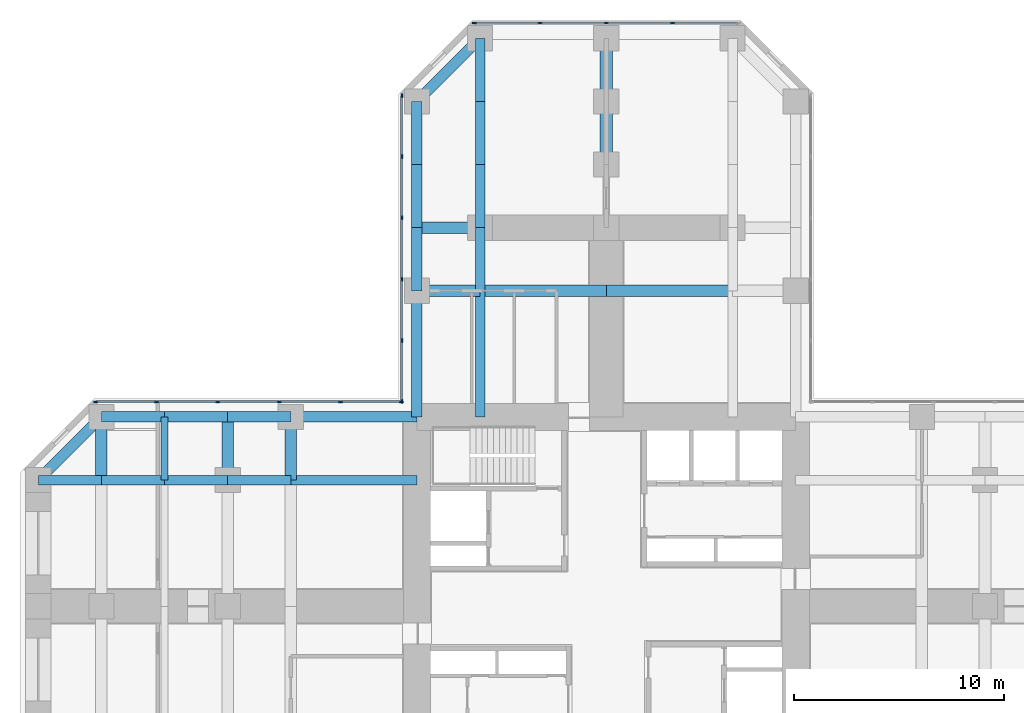
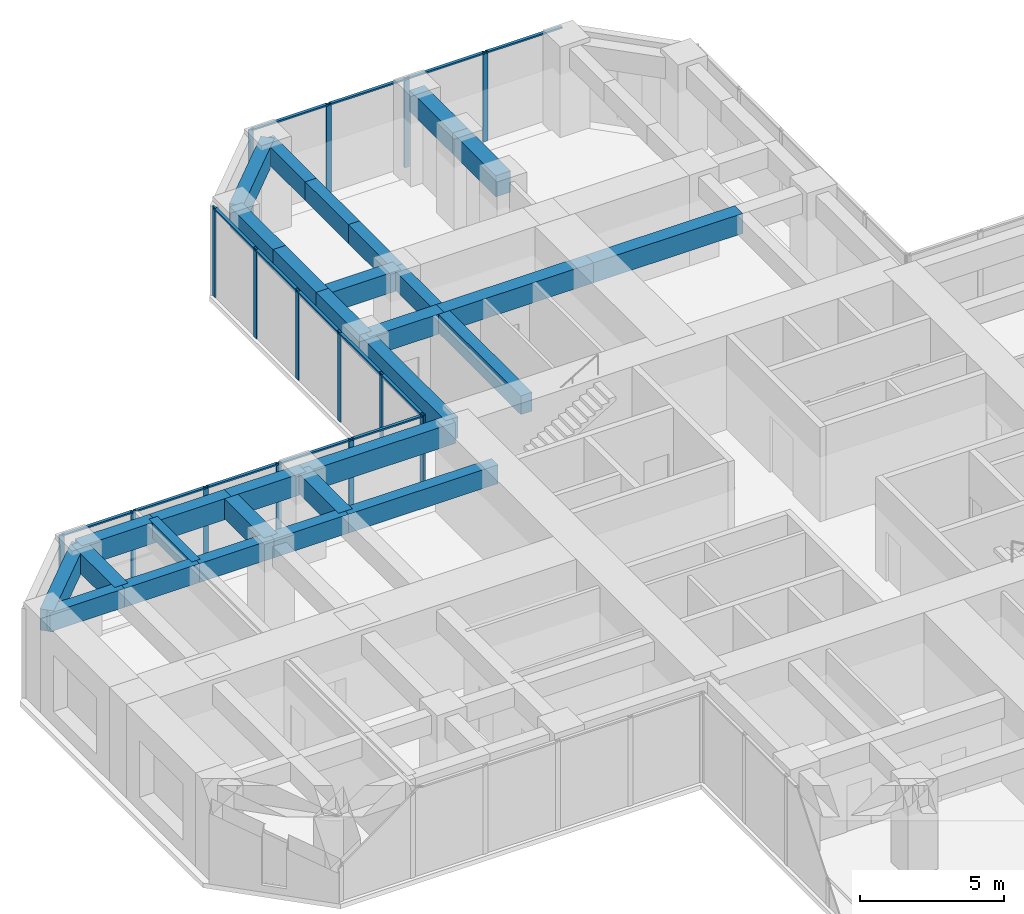
# One storey, part 5 of 12: 30 beams, 30 members, 3 elements without a shape of their own.
"""IFC4 building model written with IfcOpenShell, lengths in metres."""

from ifc_helpers import new_model, si_unit, direction, frame, origin, origin_2d, place, context, subcontext, project, spatial, rectangle, extrude, material, material_profile, profile_set, type_object, element, aggregate, save


model = new_model("IFC4")

# Units and contexts
model_context = context("Model", 3, precision=1e-05, world=origin(), true_north=direction((0.0, 1.0)))
body_context = subcontext(model_context, "Body", "Model", "MODEL_VIEW")
ifc_project = project(units=[si_unit("LENGTHUNIT", "METRE"), si_unit("AREAUNIT", "SQUARE_METRE"), si_unit("VOLUMEUNIT", "CUBIC_METRE"), si_unit("PLANEANGLEUNIT", "RADIAN"), si_unit("MASSUNIT", "GRAM", prefix="KILO")], contexts=[model_context])

# Site, building, storey
site_placement = place(None, origin())
site = spatial("IfcSite", under=ifc_project, at=site_placement, CompositionType="ELEMENT")
building_placement = place(site_placement, origin())
building = spatial("IfcBuilding", under=site, at=building_placement, Name="Torre Cruceta", CompositionType="ELEMENT")
storey_placement = place(building_placement, frame((0.0, 0.0, 39.5)))
storey = spatial("IfcBuildingStorey", under=building, at=storey_placement, Name="L09", CompositionType="ELEMENT", Elevation=39.5)

# Beams
ifc_material_1 = material(Name="Concrete G60 (fck 60 MPa)", Category="concrete")
ifc_material_profile_1 = material_profile(ifc_material_1, rectangle(XDim=0.60009765625, YDim=0.89990234375, at=origin_2d()), Name="RC 600X900")
ifc_profile_set_1 = profile_set([ifc_material_profile_1], Name="Concrete G60 (fck 60 MPa)")
beam_type_1 = type_object("IfcBeamType", Name="ARM CENTRE BEAM RC 600X900", PredefinedType="BEAM", material=ifc_profile_set_1)
for number, where, z_axis, x_axis, name in (
    (1, (0.0, 21.0, 3.35009765625), (0.0, 1.0, 0.0), (-1.0, 0.0, 0.0), "MB3 L09 N centre 1"),
    (2, (0.0, 24.0, 3.35009765625), (0.0, 1.0, 0.0), (-1.0, 0.0, 0.0), "MB3 L09 N centre 2"),
):
    element("IfcBeam", number, at=place(storey_placement, frame(where, z_axis=z_axis, x_axis=x_axis)), inside=storey, type_object=beam_type_1, Name=name, PredefinedType="BEAM", context=body_context, shape_type="SweptSolid", body=[
        extrude(rectangle(XDim=0.60009765625, YDim=0.89990234375, at=origin_2d()), origin(), (0.0, 0.0, 1.0), 3.0),
    ])
ifc_material_2 = material(Name="Concrete G60 (fck 60 MPa)", Category="concrete")
ifc_material_profile_2 = material_profile(ifc_material_2, rectangle(XDim=0.449951171875, YDim=0.800048828125, at=origin_2d()), Name="RC 450X800")
ifc_profile_set_2 = profile_set([ifc_material_profile_2], Name="Concrete G60 (fck 60 MPa)")
beam_type_2 = type_object("IfcBeamType", Name="COLUMN LINE BEAM RC 450X800", PredefinedType="BEAM", material=ifc_profile_set_2)
beam_1_placement = place(storey_placement, frame((-6.0, 9.0, 3.39990234375), z_axis=(0.0, 1.0, 0.0), x_axis=(-1.0, 0.0, 0.0)))
element("IfcBeam", 3, at=beam_1_placement, inside=storey, type_object=beam_type_2, Name="LB1 L09 N col+ 1", PredefinedType="BEAM", context=body_context, shape_type="SweptSolid", body=[
    extrude(rectangle(XDim=0.449951171875, YDim=0.800048828125, at=origin_2d()), origin(), (0.0, 0.0, 1.0), 6.0),
])
for number, where, z_axis, x_axis, name in (
    (4, (-6.0, 15.0, 3.39990234375), (0.0, 1.0, 0.0), (-1.0, 0.0, 0.0), "LB1 L09 N col+ 2"),
    (5, (-6.0, 18.0, 3.39990234375), (0.0, 1.0, 0.0), (-1.0, 0.0, 0.0), "LB1 L09 N col+ 3"),
    (6, (-6.0, 21.0, 3.39990234375), (0.0, 1.0, 0.0), (-1.0, 0.0, 0.0), "LB1 L09 N col+ 4"),
    (7, (-6.0, 24.0, 3.39990234375), (0.0, 1.0, 0.0), (-1.0, 0.0, 0.0), "LB1 L09 N col+ 5"),
):
    element("IfcBeam", number, at=place(storey_placement, frame(where, z_axis=z_axis, x_axis=x_axis)), inside=storey, type_object=beam_type_2, Name=name, PredefinedType="BEAM", context=body_context, shape_type="SweptSolid", body=[
        extrude(rectangle(XDim=0.449951171875, YDim=0.800048828125, at=origin_2d()), origin(), (0.0, 0.0, 1.0), 3.0),
    ])
beam_2_placement = place(storey_placement, frame((-9.0, 6.0, 3.39990234375), z_axis=(-1.0, 0.0, 0.0), x_axis=(0.0, -1.0, 0.0)))
element("IfcBeam", 8, at=beam_2_placement, inside=storey, type_object=beam_type_2, Name="LB1 L09 W col- 1", PredefinedType="BEAM", context=body_context, shape_type="SweptSolid", body=[
    extrude(rectangle(XDim=0.449951171875, YDim=0.800048828125, at=origin_2d()), origin(), (0.0, 0.0, 1.0), 6.0),
])
for number, where, z_axis, x_axis, name in (
    (9, (-15.0, 6.0, 3.39990234375), (-1.0, 0.0, 0.0), (0.0, -1.0, 0.0), "LB1 L09 W col- 2"),
    (10, (-18.0, 6.0, 3.39990234375), (-1.0, 0.0, 0.0), (0.0, -1.0, 0.0), "LB1 L09 W col- 3"),
    (11, (-21.0, 6.0, 3.39990234375), (-1.0, 0.0, 0.0), (0.0, -1.0, 0.0), "LB1 L09 W col- 4"),
    (12, (-24.0, 6.0, 3.39990234375), (-1.0, 0.0, 0.0), (0.0, -1.0, 0.0), "LB1 L09 W col- 5"),
):
    element("IfcBeam", number, at=place(storey_placement, frame(where, z_axis=z_axis, x_axis=x_axis)), inside=storey, type_object=beam_type_2, Name=name, PredefinedType="BEAM", context=body_context, shape_type="SweptSolid", body=[
        extrude(rectangle(XDim=0.449951171875, YDim=0.800048828125, at=origin_2d()), origin(), (0.0, 0.0, 1.0), 3.0),
    ])
ifc_material_3 = material(Name="Concrete G60 (fck 60 MPa)", Category="concrete")
ifc_material_profile_3 = material_profile(ifc_material_3, rectangle(XDim=0.550048828125, YDim=0.85009765625, at=origin_2d()), Name="RC 550X850")
ifc_profile_set_3 = profile_set([ifc_material_profile_3], Name="Concrete G60 (fck 60 MPa)")
beam_type_3 = type_object("IfcBeamType", Name="CROSS BEAM RC 550X850", PredefinedType="BEAM", material=ifc_profile_set_3)
for number, where, z_axis, x_axis, name in (
    (13, (6.0, 15.0, 3.375), (-1.0, 0.0, 0.0), (0.0, -1.0, 0.0), "GB4 L09 N cross15 2"),
    (14, (0.0, 15.0, 3.375), (-1.0, 0.0, 0.0), (0.0, -1.0, 0.0), "GB4 L09 N cross15 3"),
):
    element("IfcBeam", number, at=place(storey_placement, frame(where, z_axis=z_axis, x_axis=x_axis)), inside=storey, type_object=beam_type_3, Name=name, PredefinedType="BEAM", context=body_context, shape_type="SweptSolid", body=[
        extrude(rectangle(XDim=0.550048828125, YDim=0.85009765625, at=origin_2d()), origin(), (0.0, 0.0, 1.0), 6.0),
    ])
for number, where, z_axis, x_axis, name in (
    (15, (-6.0, 15.0, 3.375), (-1.0, 0.0, 0.0), (0.0, -1.0, 0.0), "GB4 L09 N cross15 4"),
    (16, (-6.0, 18.0, 3.375), (-1.0, 0.0, 0.0), (0.0, -1.0, 0.0), "GB4 L09 N cross18b 1"),
    (17, (-15.0, 9.0, 3.375), (0.0, -1.0, 0.0), (1.0, 0.0, 0.0), "GB4 L09 W cross15 1"),
    (18, (-18.0, 9.0, 3.375), (0.0, -1.0, 0.0), (1.0, 0.0, 0.0), "GB4 L09 W cross18 1"),
    (19, (-24.0, 9.0, 3.375), (0.0, -1.0, 0.0), (1.0, 0.0, 0.0), "GB4 L09 W cross24 1"),
):
    element("IfcBeam", number, at=place(storey_placement, frame(where, z_axis=z_axis, x_axis=x_axis)), inside=storey, type_object=beam_type_3, Name=name, PredefinedType="BEAM", context=body_context, shape_type="SweptSolid", body=[
        extrude(rectangle(XDim=0.550048828125, YDim=0.85009765625, at=origin_2d()), origin(), (0.0, 0.0, 1.0), 3.0),
    ])

# Curtain wall, members
ifc_material_4 = material(Name="Aluminium unitised curtain wall", Category="aluminium")
curtain_wall_type = type_object("IfcCurtainWallType", Name="CURTAIN WALL CW-A OFFICE LOW RISE", PredefinedType="USERDEFINED", material=ifc_material_4)
curtain_wall_1_placement = place(storey_placement, origin())
curtain_wall_1 = element("IfcCurtainWall", 20, at=curtain_wall_1_placement, inside=storey, type_object=curtain_wall_type, Name="CW-A L09 N tip 07", ObjectType="UNITISED", PredefinedType="USERDEFINED")
ifc_material_5 = material(Name="Aluminium mullion", Category="aluminium")
ifc_material_profile_4 = material_profile(ifc_material_5, rectangle(XDim=0.06494140625, YDim=0.199951171875, at=origin_2d()), Name="AL 65X200")
ifc_profile_set_4 = profile_set([ifc_material_profile_4], Name="Aluminium mullion")
member_type_1 = type_object("IfcMemberType", Name="CW-A MULLION 65X200", PredefinedType="MULLION", material=ifc_profile_set_4)
member_1_placement = place(storey_placement, frame((3.149169921875, 27.719970703125, 0.0), z_axis=(0.0, 0.0, 1.0), x_axis=(0.0, -1.0, 0.0)))
member_1 = element("IfcMember", 21, at=member_1_placement, type_object=member_type_1, Name="CW-A mullion 2", PredefinedType="MULLION", context=body_context, shape_type="SweptSolid", body=[
    extrude(rectangle(XDim=0.06494140625, YDim=0.199951171875, at=origin_2d()), origin(), (0.0, 0.0, 1.0), 3.800048828125),
])
member_2_placement = place(storey_placement, frame((0.0, 27.719970703125, 0.0), z_axis=(0.0, 0.0, 1.0), x_axis=(0.0, -1.0, 0.0)))
member_2 = element("IfcMember", 22, at=member_2_placement, type_object=member_type_1, Name="CW-A mullion 3", PredefinedType="MULLION", context=body_context, shape_type="SweptSolid", body=[
    extrude(rectangle(XDim=0.06494140625, YDim=0.199951171875, at=origin_2d()), origin(), (0.0, 0.0, 1.0), 3.800048828125),
])
member_3_placement = place(storey_placement, frame((-3.149169921875, 27.719970703125, 0.0), z_axis=(0.0, 0.0, 1.0), x_axis=(0.0, -1.0, 0.0)))
member_3 = element("IfcMember", 23, at=member_3_placement, type_object=member_type_1, Name="CW-A mullion 4", PredefinedType="MULLION", context=body_context, shape_type="SweptSolid", body=[
    extrude(rectangle(XDim=0.06494140625, YDim=0.199951171875, at=origin_2d()), origin(), (0.0, 0.0, 1.0), 3.800048828125),
])
member_4_placement = place(storey_placement, frame((-6.265625, 27.719970703125, 0.0), z_axis=(0.0, 0.0, 1.0), x_axis=(0.0, -1.0, 0.0)))
member_4 = element("IfcMember", 24, at=member_4_placement, type_object=member_type_1, Name="CW-A mullion 5", PredefinedType="MULLION", context=body_context, shape_type="SweptSolid", body=[
    extrude(rectangle(XDim=0.06494140625, YDim=0.199951171875, at=origin_2d()), origin(), (0.0, 0.0, 1.0), 3.800048828125),
])

curtain_wall_2_placement = place(storey_placement, origin())
curtain_wall_2 = element("IfcCurtainWall", 25, at=curtain_wall_2_placement, inside=storey, type_object=curtain_wall_type, Name="CW-A L09 N side 09", ObjectType="UNITISED", PredefinedType="USERDEFINED")
member_5_placement = place(storey_placement, frame((-9.719970703125, 24.265625, 0.0), z_axis=(0.0, 0.0, 1.0), x_axis=(1.0, 0.0, 0.0)))
member_5 = element("IfcMember", 26, at=member_5_placement, type_object=member_type_1, Name="CW-A mullion 1", PredefinedType="MULLION", context=body_context, shape_type="SweptSolid", body=[
    extrude(rectangle(XDim=0.06494140625, YDim=0.199951171875, at=origin_2d()), origin(), (0.0, 0.0, 1.0), 3.800048828125),
])
member_6_placement = place(storey_placement, frame((-9.719970703125, 21.382568359375, 0.0), z_axis=(0.0, 0.0, 1.0), x_axis=(1.0, 0.0, 0.0)))
member_6 = element("IfcMember", 27, at=member_6_placement, type_object=member_type_1, Name="CW-A mullion 2", PredefinedType="MULLION", context=body_context, shape_type="SweptSolid", body=[
    extrude(rectangle(XDim=0.06494140625, YDim=0.199951171875, at=origin_2d()), origin(), (0.0, 0.0, 1.0), 3.800048828125),
])
member_7_placement = place(storey_placement, frame((-9.719970703125, 18.467041015625, 0.0), z_axis=(0.0, 0.0, 1.0), x_axis=(1.0, 0.0, 0.0)))
member_7 = element("IfcMember", 28, at=member_7_placement, type_object=member_type_1, Name="CW-A mullion 3", PredefinedType="MULLION", context=body_context, shape_type="SweptSolid", body=[
    extrude(rectangle(XDim=0.06494140625, YDim=0.199951171875, at=origin_2d()), origin(), (0.0, 0.0, 1.0), 3.800048828125),
])
member_8_placement = place(storey_placement, frame((-9.719970703125, 15.55126953125, 0.0), z_axis=(0.0, 0.0, 1.0), x_axis=(1.0, 0.0, 0.0)))
member_8 = element("IfcMember", 29, at=member_8_placement, type_object=member_type_1, Name="CW-A mullion 4", PredefinedType="MULLION", context=body_context, shape_type="SweptSolid", body=[
    extrude(rectangle(XDim=0.06494140625, YDim=0.199951171875, at=origin_2d()), origin(), (0.0, 0.0, 1.0), 3.800048828125),
])
member_9_placement = place(storey_placement, frame((-9.719970703125, 12.6357421875, 0.0), z_axis=(0.0, 0.0, 1.0), x_axis=(1.0, 0.0, 0.0)))
member_9 = element("IfcMember", 30, at=member_9_placement, type_object=member_type_1, Name="CW-A mullion 5", PredefinedType="MULLION", context=body_context, shape_type="SweptSolid", body=[
    extrude(rectangle(XDim=0.06494140625, YDim=0.199951171875, at=origin_2d()), origin(), (0.0, 0.0, 1.0), 3.800048828125),
])
member_10_placement = place(storey_placement, frame((-9.719970703125, 9.75244140625, 0.0), z_axis=(0.0, 0.0, 1.0), x_axis=(1.0, 0.0, 0.0)))
member_10 = element("IfcMember", 31, at=member_10_placement, type_object=member_type_1, Name="CW-A mullion 6", PredefinedType="MULLION", context=body_context, shape_type="SweptSolid", body=[
    extrude(rectangle(XDim=0.06494140625, YDim=0.199951171875, at=origin_2d()), origin(), (0.0, 0.0, 1.0), 3.800048828125),
])

curtain_wall_3_placement = place(storey_placement, origin())
curtain_wall_3 = element("IfcCurtainWall", 32, at=curtain_wall_3_placement, inside=storey, type_object=curtain_wall_type, Name="CW-A L09 W side 10", ObjectType="UNITISED", PredefinedType="USERDEFINED")
member_11_placement = place(storey_placement, frame((-9.75244140625, 9.719970703125, 0.0), z_axis=(0.0, 0.0, 1.0), x_axis=(0.0, -1.0, 0.0)))
member_11 = element("IfcMember", 33, at=member_11_placement, type_object=member_type_1, Name="CW-A mullion 1", PredefinedType="MULLION", context=body_context, shape_type="SweptSolid", body=[
    extrude(rectangle(XDim=0.06494140625, YDim=0.199951171875, at=origin_2d()), origin(), (0.0, 0.0, 1.0), 3.800048828125),
])
member_12_placement = place(storey_placement, frame((-12.6357421875, 9.719970703125, 0.0), z_axis=(0.0, 0.0, 1.0), x_axis=(0.0, -1.0, 0.0)))
member_12 = element("IfcMember", 34, at=member_12_placement, type_object=member_type_1, Name="CW-A mullion 2", PredefinedType="MULLION", context=body_context, shape_type="SweptSolid", body=[
    extrude(rectangle(XDim=0.06494140625, YDim=0.199951171875, at=origin_2d()), origin(), (0.0, 0.0, 1.0), 3.800048828125),
])
member_13_placement = place(storey_placement, frame((-15.55126953125, 9.719970703125, 0.0), z_axis=(0.0, 0.0, 1.0), x_axis=(0.0, -1.0, 0.0)))
member_13 = element("IfcMember", 35, at=member_13_placement, type_object=member_type_1, Name="CW-A mullion 3", PredefinedType="MULLION", context=body_context, shape_type="SweptSolid", body=[
    extrude(rectangle(XDim=0.06494140625, YDim=0.199951171875, at=origin_2d()), origin(), (0.0, 0.0, 1.0), 3.800048828125),
])
member_14_placement = place(storey_placement, frame((-18.467041015625, 9.719970703125, 0.0), z_axis=(0.0, 0.0, 1.0), x_axis=(0.0, -1.0, 0.0)))
member_14 = element("IfcMember", 36, at=member_14_placement, type_object=member_type_1, Name="CW-A mullion 4", PredefinedType="MULLION", context=body_context, shape_type="SweptSolid", body=[
    extrude(rectangle(XDim=0.06494140625, YDim=0.199951171875, at=origin_2d()), origin(), (0.0, 0.0, 1.0), 3.800048828125),
])
member_15_placement = place(storey_placement, frame((-21.382568359375, 9.719970703125, 0.0), z_axis=(0.0, 0.0, 1.0), x_axis=(0.0, -1.0, 0.0)))
member_15 = element("IfcMember", 37, at=member_15_placement, type_object=member_type_1, Name="CW-A mullion 5", PredefinedType="MULLION", context=body_context, shape_type="SweptSolid", body=[
    extrude(rectangle(XDim=0.06494140625, YDim=0.199951171875, at=origin_2d()), origin(), (0.0, 0.0, 1.0), 3.800048828125),
])
member_16_placement = place(storey_placement, frame((-24.265625, 9.719970703125, 0.0), z_axis=(0.0, 0.0, 1.0), x_axis=(0.0, -1.0, 0.0)))
member_16 = element("IfcMember", 38, at=member_16_placement, type_object=member_type_1, Name="CW-A mullion 6", PredefinedType="MULLION", context=body_context, shape_type="SweptSolid", body=[
    extrude(rectangle(XDim=0.06494140625, YDim=0.199951171875, at=origin_2d()), origin(), (0.0, 0.0, 1.0), 3.800048828125),
])

# Member
ifc_material_6 = material(Name="Aluminium transom", Category="aluminium")
ifc_material_profile_5 = material_profile(ifc_material_6, rectangle(XDim=0.1201171875, YDim=0.06494140625, at=origin_2d()), Name="AL 120X65")
ifc_profile_set_5 = profile_set([ifc_material_profile_5], Name="Aluminium transom")
member_type_2 = type_object("IfcMemberType", Name="CW-A TRANSOM 65X120", PredefinedType="USERDEFINED", material=ifc_profile_set_5)
member_17_placement = place(storey_placement, frame((6.233154296875, 27.719970703125, 3.767578125), z_axis=(-1.0, 0.0, 0.0), x_axis=(0.0, -1.0, 0.0)))
member_17 = element("IfcMember", 39, at=member_17_placement, type_object=member_type_2, Name="CW-A transom 1", ObjectType="TRANSOM", PredefinedType="USERDEFINED", context=body_context, shape_type="SweptSolid", body=[
    extrude(rectangle(XDim=0.1201171875, YDim=0.06494140625, at=origin_2d()), origin(), (0.0, 0.0, 1.0), 3.051513671875),
])

member_18_placement = place(storey_placement, frame((3.11669921875, 27.719970703125, 3.767578125), z_axis=(-1.0, 0.0, 0.0), x_axis=(0.0, -1.0, 0.0)))
member_18 = element("IfcMember", 40, at=member_18_placement, type_object=member_type_2, Name="CW-A transom 2", ObjectType="TRANSOM", PredefinedType="USERDEFINED", context=body_context, shape_type="SweptSolid", body=[
    extrude(rectangle(XDim=0.1201171875, YDim=0.06494140625, at=origin_2d()), origin(), (0.0, 0.0, 1.0), 3.084228515625),
])

member_19_placement = place(storey_placement, frame((-0.032470703125, 27.719970703125, 3.767578125), z_axis=(-1.0, 0.0, 0.0), x_axis=(0.0, -1.0, 0.0)))
member_19 = element("IfcMember", 41, at=member_19_placement, type_object=member_type_2, Name="CW-A transom 3", ObjectType="TRANSOM", PredefinedType="USERDEFINED", context=body_context, shape_type="SweptSolid", body=[
    extrude(rectangle(XDim=0.1201171875, YDim=0.06494140625, at=origin_2d()), origin(), (0.0, 0.0, 1.0), 3.084228515625),
])

member_20_placement = place(storey_placement, frame((-3.181640625, 27.719970703125, 3.767578125), z_axis=(-1.0, 0.0, 0.0), x_axis=(0.0, -1.0, 0.0)))
member_20 = element("IfcMember", 42, at=member_20_placement, type_object=member_type_2, Name="CW-A transom 4", ObjectType="TRANSOM", PredefinedType="USERDEFINED", context=body_context, shape_type="SweptSolid", body=[
    extrude(rectangle(XDim=0.1201171875, YDim=0.06494140625, at=origin_2d()), origin(), (0.0, 0.0, 1.0), 3.051513671875),
])

aggregate(curtain_wall_1, [member_1, member_2, member_3, member_4, member_17, member_18, member_19, member_20])

member_21_placement = place(storey_placement, frame((-9.719970703125, 24.233154296875, 3.767578125), z_axis=(0.0, -1.0, 0.0), x_axis=(1.0, 0.0, 0.0)))
member_21 = element("IfcMember", 43, at=member_21_placement, type_object=member_type_2, Name="CW-A transom 1", ObjectType="TRANSOM", PredefinedType="USERDEFINED", context=body_context, shape_type="SweptSolid", body=[
    extrude(rectangle(XDim=0.1201171875, YDim=0.06494140625, at=origin_2d()), origin(), (0.0, 0.0, 1.0), 2.818115234375),
])

member_22_placement = place(storey_placement, frame((-9.719970703125, 21.35009765625, 3.767578125), z_axis=(0.0, -1.0, 0.0), x_axis=(1.0, 0.0, 0.0)))
member_22 = element("IfcMember", 44, at=member_22_placement, type_object=member_type_2, Name="CW-A transom 2", ObjectType="TRANSOM", PredefinedType="USERDEFINED", context=body_context, shape_type="SweptSolid", body=[
    extrude(rectangle(XDim=0.1201171875, YDim=0.06494140625, at=origin_2d()), origin(), (0.0, 0.0, 1.0), 2.8505859375),
])

member_23_placement = place(storey_placement, frame((-9.719970703125, 18.434326171875, 3.767578125), z_axis=(0.0, -1.0, 0.0), x_axis=(1.0, 0.0, 0.0)))
member_23 = element("IfcMember", 45, at=member_23_placement, type_object=member_type_2, Name="CW-A transom 3", ObjectType="TRANSOM", PredefinedType="USERDEFINED", context=body_context, shape_type="SweptSolid", body=[
    extrude(rectangle(XDim=0.1201171875, YDim=0.06494140625, at=origin_2d()), origin(), (0.0, 0.0, 1.0), 2.8505859375),
])

member_24_placement = place(storey_placement, frame((-9.719970703125, 15.518798828125, 3.767578125), z_axis=(0.0, -1.0, 0.0), x_axis=(1.0, 0.0, 0.0)))
member_24 = element("IfcMember", 46, at=member_24_placement, type_object=member_type_2, Name="CW-A transom 4", ObjectType="TRANSOM", PredefinedType="USERDEFINED", context=body_context, shape_type="SweptSolid", body=[
    extrude(rectangle(XDim=0.1201171875, YDim=0.06494140625, at=origin_2d()), origin(), (0.0, 0.0, 1.0), 2.8505859375),
])

member_25_placement = place(storey_placement, frame((-9.719970703125, 12.60302734375, 3.767578125), z_axis=(0.0, -1.0, 0.0), x_axis=(1.0, 0.0, 0.0)))
member_25 = element("IfcMember", 47, at=member_25_placement, type_object=member_type_2, Name="CW-A transom 5", ObjectType="TRANSOM", PredefinedType="USERDEFINED", context=body_context, shape_type="SweptSolid", body=[
    extrude(rectangle(XDim=0.1201171875, YDim=0.06494140625, at=origin_2d()), origin(), (0.0, 0.0, 1.0), 2.818115234375),
])

aggregate(curtain_wall_2, [member_5, member_6, member_7, member_8, member_9, member_10, member_21, member_22, member_23, member_24, member_25])

member_26_placement = place(storey_placement, frame((-9.784912109375, 9.719970703125, 3.767578125), z_axis=(-1.0, 0.0, 0.0), x_axis=(0.0, -1.0, 0.0)))
member_26 = element("IfcMember", 48, at=member_26_placement, type_object=member_type_2, Name="CW-A transom 1", ObjectType="TRANSOM", PredefinedType="USERDEFINED", context=body_context, shape_type="SweptSolid", body=[
    extrude(rectangle(XDim=0.1201171875, YDim=0.06494140625, at=origin_2d()), origin(), (0.0, 0.0, 1.0), 2.818115234375),
])

member_27_placement = place(storey_placement, frame((-12.668212890625, 9.719970703125, 3.767578125), z_axis=(-1.0, 0.0, 0.0), x_axis=(0.0, -1.0, 0.0)))
member_27 = element("IfcMember", 49, at=member_27_placement, type_object=member_type_2, Name="CW-A transom 2", ObjectType="TRANSOM", PredefinedType="USERDEFINED", context=body_context, shape_type="SweptSolid", body=[
    extrude(rectangle(XDim=0.1201171875, YDim=0.06494140625, at=origin_2d()), origin(), (0.0, 0.0, 1.0), 2.8505859375),
])

member_28_placement = place(storey_placement, frame((-15.583740234375, 9.719970703125, 3.767578125), z_axis=(-1.0, 0.0, 0.0), x_axis=(0.0, -1.0, 0.0)))
member_28 = element("IfcMember", 50, at=member_28_placement, type_object=member_type_2, Name="CW-A transom 3", ObjectType="TRANSOM", PredefinedType="USERDEFINED", context=body_context, shape_type="SweptSolid", body=[
    extrude(rectangle(XDim=0.1201171875, YDim=0.06494140625, at=origin_2d()), origin(), (0.0, 0.0, 1.0), 2.8505859375),
])

member_29_placement = place(storey_placement, frame((-18.49951171875, 9.719970703125, 3.767578125), z_axis=(-1.0, 0.0, 0.0), x_axis=(0.0, -1.0, 0.0)))
member_29 = element("IfcMember", 51, at=member_29_placement, type_object=member_type_2, Name="CW-A transom 4", ObjectType="TRANSOM", PredefinedType="USERDEFINED", context=body_context, shape_type="SweptSolid", body=[
    extrude(rectangle(XDim=0.1201171875, YDim=0.06494140625, at=origin_2d()), origin(), (0.0, 0.0, 1.0), 2.8505859375),
])

member_30_placement = place(storey_placement, frame((-21.4150390625, 9.719970703125, 3.767578125), z_axis=(-1.0, 0.0, 0.0), x_axis=(0.0, -1.0, 0.0)))
member_30 = element("IfcMember", 52, at=member_30_placement, type_object=member_type_2, Name="CW-A transom 5", ObjectType="TRANSOM", PredefinedType="USERDEFINED", context=body_context, shape_type="SweptSolid", body=[
    extrude(rectangle(XDim=0.1201171875, YDim=0.06494140625, at=origin_2d()), origin(), (0.0, 0.0, 1.0), 2.818115234375),
])

aggregate(curtain_wall_3, [member_11, member_12, member_13, member_14, member_15, member_16, member_26, member_27, member_28, member_29, member_30])

# Beams
ifc_material_7 = material(Name="Concrete G60 (fck 60 MPa)", Category="concrete")
ifc_material_profile_6 = material_profile(ifc_material_7, rectangle(XDim=0.35009765625, YDim=0.64990234375, at=origin_2d()), Name="RC 350X650")
ifc_profile_set_6 = profile_set([ifc_material_profile_6], Name="Concrete G60 (fck 60 MPa)")
beam_type_4 = type_object("IfcBeamType", Name="SECONDARY BEAM RC 350X650", PredefinedType="JOIST", material=ifc_profile_set_6)
beam_3_placement = place(storey_placement, frame((-21.0, 9.0, 3.47509765625), z_axis=(0.0, -1.0, 0.0), x_axis=(1.0, 0.0, 0.0)))
element("IfcBeam", 53, at=beam_3_placement, inside=storey, type_object=beam_type_4, Name="JB3 L09 W sec21 1", PredefinedType="JOIST", context=body_context, shape_type="SweptSolid", body=[
    extrude(rectangle(XDim=0.35009765625, YDim=0.64990234375, at=origin_2d()), origin(), (0.0, 0.0, 1.0), 3.0),
])
ifc_material_8 = material(Name="Concrete G60 (fck 60 MPa)", Category="concrete")
ifc_material_profile_7 = material_profile(ifc_material_8, rectangle(XDim=0.5, YDim=0.89990234375, at=origin_2d()), Name="RC 500X900")
ifc_profile_set_7 = profile_set([ifc_material_profile_7], Name="Concrete G60 (fck 60 MPa)")
beam_type_5 = type_object("IfcBeamType", Name="SPANDREL BEAM RC 500X900", PredefinedType="SPANDREL", material=ifc_profile_set_7)
beam_4_placement = place(storey_placement, frame((-9.0, 9.0, 3.35009765625), z_axis=(0.0, 1.0, 0.0), x_axis=(-1.0, 0.0, 0.0)))
element("IfcBeam", 54, at=beam_4_placement, inside=storey, type_object=beam_type_5, Name="SB4 L09 N side+ 1", PredefinedType="SPANDREL", context=body_context, shape_type="SweptSolid", body=[
    extrude(rectangle(XDim=0.5, YDim=0.89990234375, at=origin_2d()), origin(), (0.0, 0.0, 1.0), 6.0),
])
for number, where, z_axis, x_axis, name in (
    (55, (-9.0, 15.0, 3.35009765625), (0.0, 1.0, 0.0), (-1.0, 0.0, 0.0), "SB4 L09 N side+ 2"),
    (56, (-9.0, 18.0, 3.35009765625), (0.0, 1.0, 0.0), (-1.0, 0.0, 0.0), "SB4 L09 N side+ 3"),
    (57, (-9.0, 21.0, 3.35009765625), (0.0, 1.0, 0.0), (-1.0, 0.0, 0.0), "SB4 L09 N side+ 4"),
):
    element("IfcBeam", number, at=place(storey_placement, frame(where, z_axis=z_axis, x_axis=x_axis)), inside=storey, type_object=beam_type_5, Name=name, PredefinedType="SPANDREL", context=body_context, shape_type="SweptSolid", body=[
        extrude(rectangle(XDim=0.5, YDim=0.89990234375, at=origin_2d()), origin(), (0.0, 0.0, 1.0), 3.0),
    ])
beam_5_placement = place(storey_placement, frame((-9.0, 24.0, 3.35009765625), z_axis=(0.707106781187, 0.707106781187, 0.0), x_axis=(-0.707106781187, 0.707106781187, 0.0)))
element("IfcBeam", 58, at=beam_5_placement, inside=storey, type_object=beam_type_5, Name="SB4 L09 N side+ 5", PredefinedType="SPANDREL", context=body_context, shape_type="SweptSolid", body=[
    extrude(rectangle(XDim=0.5, YDim=0.89990234375, at=origin_2d()), origin(), (0.0, 0.0, 1.0), 4.24267578125),
])
beam_6_placement = place(storey_placement, frame((-9.0, 9.0, 3.35009765625), z_axis=(-1.0, 0.0, 0.0), x_axis=(0.0, -1.0, 0.0)))
element("IfcBeam", 59, at=beam_6_placement, inside=storey, type_object=beam_type_5, Name="SB4 L09 W side- 1", PredefinedType="SPANDREL", context=body_context, shape_type="SweptSolid", body=[
    extrude(rectangle(XDim=0.5, YDim=0.89990234375, at=origin_2d()), origin(), (0.0, 0.0, 1.0), 6.0),
])
for number, where, z_axis, x_axis, name in (
    (60, (-15.0, 9.0, 3.35009765625), (-1.0, 0.0, 0.0), (0.0, -1.0, 0.0), "SB4 L09 W side- 2"),
    (61, (-18.0, 9.0, 3.35009765625), (-1.0, 0.0, 0.0), (0.0, -1.0, 0.0), "SB4 L09 W side- 3"),
    (62, (-21.0, 9.0, 3.35009765625), (-1.0, 0.0, 0.0), (0.0, -1.0, 0.0), "SB4 L09 W side- 4"),
):
    element("IfcBeam", number, at=place(storey_placement, frame(where, z_axis=z_axis, x_axis=x_axis)), inside=storey, type_object=beam_type_5, Name=name, PredefinedType="SPANDREL", context=body_context, shape_type="SweptSolid", body=[
        extrude(rectangle(XDim=0.5, YDim=0.89990234375, at=origin_2d()), origin(), (0.0, 0.0, 1.0), 3.0),
    ])
beam_7_placement = place(storey_placement, frame((-24.0, 9.0, 3.35009765625), z_axis=(-0.707106781187, -0.707106781187, 0.0), x_axis=(0.707106781187, -0.707106781187, 0.0)))
element("IfcBeam", 63, at=beam_7_placement, inside=storey, type_object=beam_type_5, Name="SB4 L09 W side- 5", PredefinedType="SPANDREL", context=body_context, shape_type="SweptSolid", body=[
    extrude(rectangle(XDim=0.5, YDim=0.89990234375, at=origin_2d()), origin(), (0.0, 0.0, 1.0), 4.24267578125),
])

save(model, "model.ifc")
